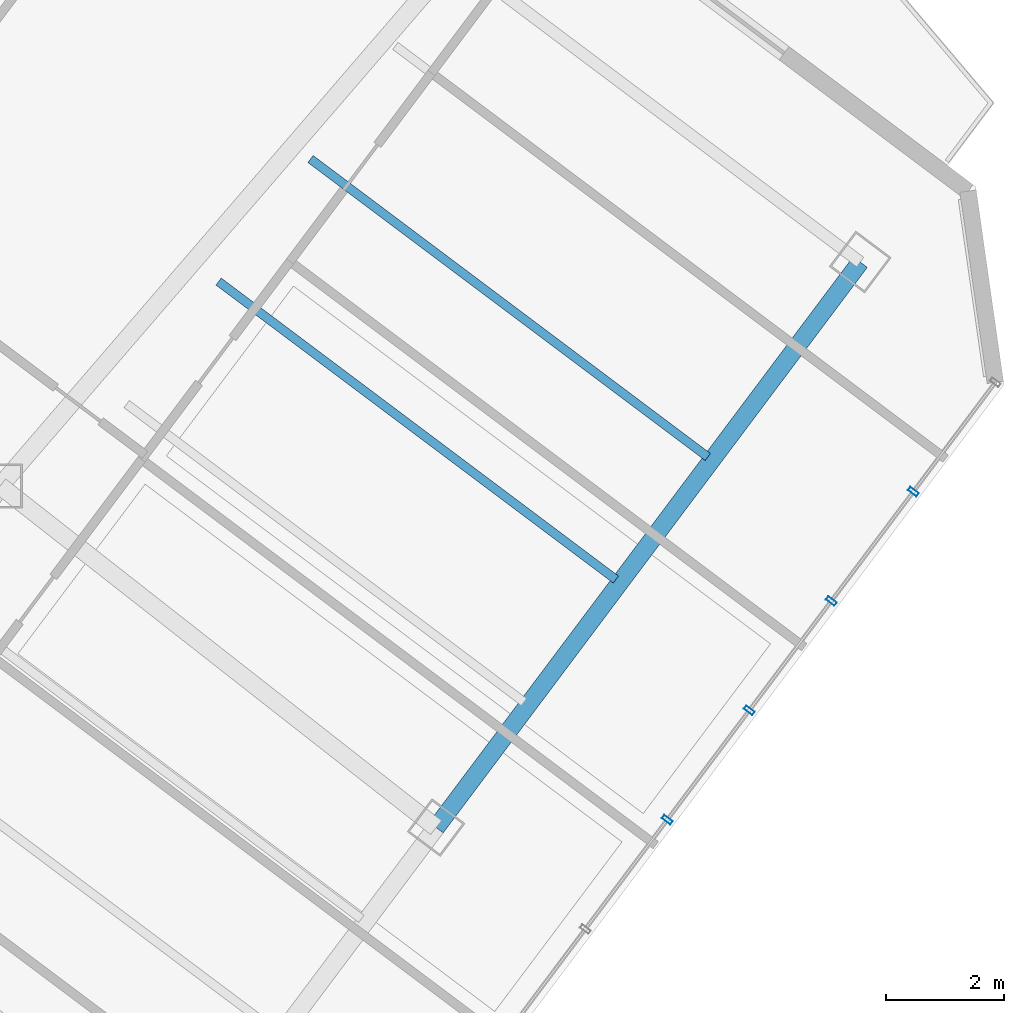
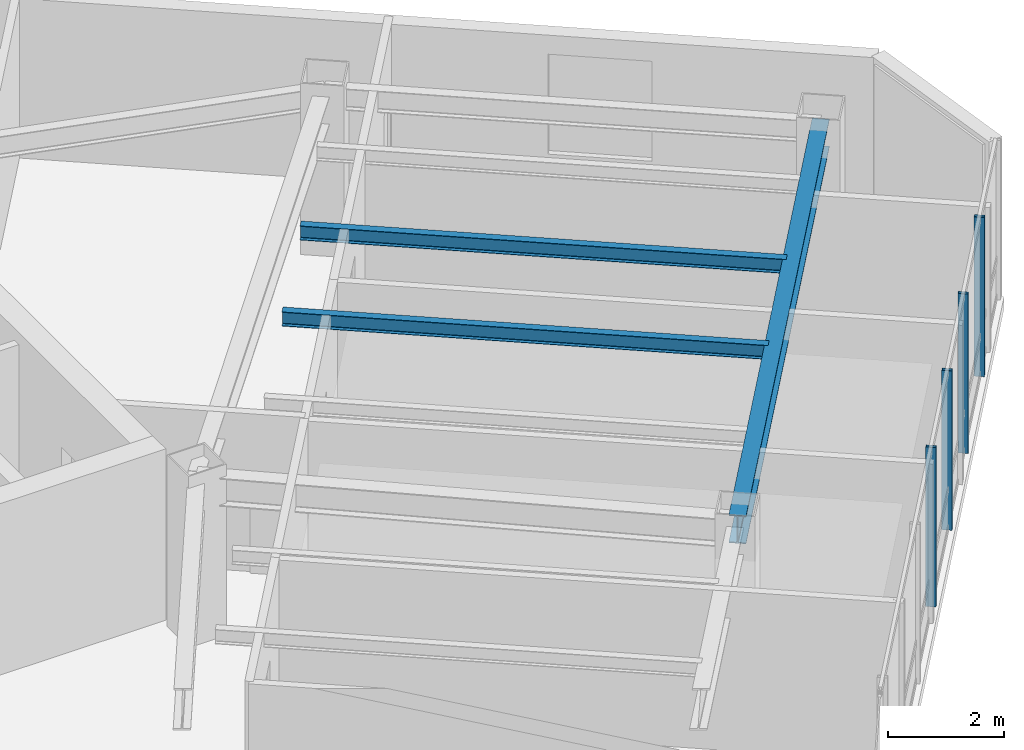
# One storey, part 13 of 26: 4 members, 3 beams, 1 element without a shape of its own.
"""IFC4 building model written with IfcOpenShell, lengths in metres."""

import ifcopenshell
import ifcopenshell.guid

model = None  # the IFC model being written
_history = None  # IfcOwnerHistory: only IFC2X3 demands one
_inside = {}  # id of a spatial element -> (the spatial element, [elements in it])
_under = {}  # id of a project, library or spatial element -> (it, [spatial elements below it])
_declared = {}  # id of a project -> (the project, [libraries it declares])
_typed = {}  # id of a type object -> (the type object, [elements of that type])
_made_of = {}  # id of a material, layer set ... -> (it, [elements and type objects made of it])


def new_model(schema):
    """Start an empty IFC model of exactly this schema.

    Asked for "IFC4X3", IfcOpenShell would pick the latest addendum, in which some entities
    have other attributes; the version numbers below select the first issue.
    IFC2X3 requires an IfcOwnerHistory on every rooted entity: one is made here for all.
    """
    global model, _history
    if schema == "IFC4X3":
        model = ifcopenshell.file(schema_version=(4, 3, 0, 0))
    else:
        model = ifcopenshell.file(schema=schema)
    _inside.clear()
    _under.clear()
    _declared.clear()
    _typed.clear()
    _made_of.clear()
    _history = None
    if model.schema == "IFC2X3":
        org = make("IfcOrganization", Name="unknown")
        user = make(
            "IfcPersonAndOrganization",
            ThePerson=make("IfcPerson", FamilyName="unknown"),
            TheOrganization=org,
        )
        app = make(
            "IfcApplication",
            ApplicationDeveloper=org,
            Version="unknown",
            ApplicationFullName="unknown",
            ApplicationIdentifier="unknown",
        )
        _history = make(
            "IfcOwnerHistory",
            OwningUser=user,
            OwningApplication=app,
            ChangeAction="ADDED",
            CreationDate=0,
        )
    return model


def make(cls, **values):
    """One entity of the class cls with the attributes given. An attribute that is None is left unset."""
    return model.create_entity(
        cls, **{name: value for name, value in values.items() if value is not None}
    )


def rooted(cls, **values):
    """An entity with a GlobalId (a new one), such as an element, a storey or a relation."""
    return make(cls, GlobalId=ifcopenshell.guid.new(), OwnerHistory=_history, **values)


def si_unit(unit_type, name, prefix=None):
    """IfcSIUnit, for example si_unit("LENGTHUNIT", "METRE", prefix="MILLI")."""
    return make("IfcSIUnit", UnitType=unit_type, Prefix=prefix, Name=name)


def assignment(units):
    """IfcUnitAssignment: the units of a project."""
    return None if units is None else make("IfcUnitAssignment", Units=units)


def point(xyz):
    """IfcCartesianPoint."""
    return None if xyz is None else make("IfcCartesianPoint", Coordinates=xyz)


def direction(xyz):
    """IfcDirection."""
    return None if xyz is None else make("IfcDirection", DirectionRatios=xyz)


def frame(location, z_axis=None, x_axis=None):
    """IfcAxis2Placement3D, a coordinate frame: its origin and axes. An axis left out is left unset."""
    return make(
        "IfcAxis2Placement3D",
        Location=point(location),
        Axis=direction(z_axis),
        RefDirection=direction(x_axis),
    )


def frame_2d(location, x_axis=None):
    """IfcAxis2Placement2D, a coordinate frame in the plane: its origin and x axis."""
    return make(
        "IfcAxis2Placement2D", Location=point(location), RefDirection=direction(x_axis)
    )


def origin():
    """The frame at (0, 0, 0) with its axes left unset."""
    return frame((0.0, 0.0, 0.0))


def origin_2d():
    """The frame at (0, 0) in the plane with its x axis left unset."""
    return frame_2d((0.0, 0.0))


def place(relative_to, where):
    """IfcLocalPlacement: puts the frame where relative to a parent placement (None: the world)."""
    return make(
        "IfcLocalPlacement", PlacementRelTo=relative_to, RelativePlacement=where
    )


def context(
    kind, dimensions, precision=None, world=None, true_north=None, identifier=None
):
    """IfcGeometricRepresentationContext, for example the 3D "Model" context."""
    return make(
        "IfcGeometricRepresentationContext",
        ContextIdentifier=identifier,
        ContextType=kind,
        CoordinateSpaceDimension=dimensions,
        Precision=precision,
        WorldCoordinateSystem=world,
        TrueNorth=true_north,
    )


def subcontext(parent, identifier, kind, view, scale=None):
    """IfcGeometricRepresentationSubContext, for example "Body" below "Model"."""
    return make(
        "IfcGeometricRepresentationSubContext",
        ContextIdentifier=identifier,
        ContextType=kind,
        ParentContext=parent,
        TargetScale=scale,
        TargetView=view,
    )


def project(units=None, contexts=None):
    """IfcProject with its units and contexts."""
    return rooted(
        "IfcProject",
        Name="project",
        RepresentationContexts=contexts,
        UnitsInContext=assignment(units),
    )


def spatial(cls, under=None, at=None, **own):
    """A site, building, storey or space (cls), placed at a placement, below another one or the project."""
    s = rooted(cls, ObjectPlacement=at, **own)
    if under is not None:
        _under.setdefault(under.id(), (under, []))[1].append(s)
    return s


def profile(cls, at=None, kind="AREA", **sizes):
    """A parametric profile (cls). Its sizes go by their IFC names, for example OverallWidth=200.0."""
    return make(cls, ProfileType=kind, Position=at, **sizes)


def hollow_rectangle(**sizes):
    """IfcRectangleHollowProfileDef."""
    return profile("IfcRectangleHollowProfileDef", **sizes)


def i_section(**sizes):
    """IfcIShapeProfileDef."""
    return profile("IfcIShapeProfileDef", **sizes)


def extrude(swept, where, along, depth):
    """IfcExtrudedAreaSolid: the profile swept, set in the frame where, extruded along a direction by depth."""
    return make(
        "IfcExtrudedAreaSolid",
        SweptArea=swept,
        Position=where,
        ExtrudedDirection=direction(along),
        Depth=depth,
    )


def shape(context_of_items, identifier, shape_type, items):
    """IfcShapeRepresentation: the items that make up one representation, for example the "Body"."""
    return make(
        "IfcShapeRepresentation",
        ContextOfItems=context_of_items,
        RepresentationIdentifier=identifier,
        RepresentationType=shape_type,
        Items=items,
    )


def material(Name=None, Category=None):
    """IfcMaterial."""
    return make("IfcMaterial", Name=Name, Category=Category)


def layer(
    of_material, thickness, ventilated=None, Name=None, Category=None, Priority=None
):
    """IfcMaterialLayer: one layer of a wall or slab, of a material (None: an air gap)."""
    return make(
        "IfcMaterialLayer",
        Material=of_material,
        LayerThickness=thickness,
        IsVentilated=ventilated,
        Name=Name,
        Category=Category,
        Priority=Priority,
    )


def layer_set(layers, Name=None):
    """IfcMaterialLayerSet."""
    return make("IfcMaterialLayerSet", MaterialLayers=layers, LayerSetName=Name)


def material_profile(
    of_material, cross_section, Name=None, Category=None, Priority=None
):
    """IfcMaterialProfile: a cross section and its material."""
    return make(
        "IfcMaterialProfile",
        Name=Name,
        Material=of_material,
        Profile=cross_section,
        Priority=Priority,
        Category=Category,
    )


def profile_set(profiles, Name=None, composite=None):
    """IfcMaterialProfileSet."""
    return make(
        "IfcMaterialProfileSet",
        Name=Name,
        MaterialProfiles=profiles,
        CompositeProfile=composite,
    )


def made_of(thing, what):
    """Note that an element or type object is made of a material, layer set ...; save() writes the relation."""
    if what is not None:
        _made_of.setdefault(what.id(), (what, []))[1].append(thing)
    return thing


def type_object(cls, material=None, **own):
    """A type object (cls), such as IfcWallType, which elements share."""
    return made_of(rooted(cls, **own), material)


def element(
    cls,
    number,
    at=None,
    inside=None,
    cuts=None,
    type_object=None,
    material=None,
    context=None,
    identifier="Body",
    shape_type=None,
    held_by="IfcProductDefinitionShape",
    body=None,
    shapes=None,
    **own,
):
    """One element of the class cls, such as IfcWall. Its Tag is "e" and its number.

    at: its placement. inside: the storey or other place that contains it. cuts: it is an
    opening in that element (IfcRelVoidsElement). A single representation is given by context,
    identifier, shape_type and body (its items); several are given by shapes. held_by: the class
    of the entity that holds the representations. save() writes the other relations.
    """
    e = rooted(cls, Tag="e%d" % number, ObjectPlacement=at, **own)
    if body is not None:
        shapes = [shape(context, identifier, shape_type, body)]
    if shapes is not None:
        e.Representation = make(held_by, Representations=shapes)
    if inside is not None:
        _inside.setdefault(inside.id(), (inside, []))[1].append(e)
    if cuts is not None:
        rooted(
            "IfcRelVoidsElement", RelatingBuildingElement=cuts, RelatedOpeningElement=e
        )
    if type_object is not None:
        _typed.setdefault(type_object.id(), (type_object, []))[1].append(e)
    return made_of(e, material)


def aggregate(whole, parts):
    """IfcRelAggregates: a whole, such as a stair, and the parts it consists of."""
    return rooted("IfcRelAggregates", RelatingObject=whole, RelatedObjects=parts)


def save(model, path):
    """Write the relations noted so far, then the file.

    IfcRelAggregates (storeys below a building ...), IfcRelContainedInSpatialStructure (elements
    in a storey), IfcRelDefinesByType, IfcRelAssociatesMaterial and IfcRelDeclares: one each for
    every whole, place, type object, material and project.
    """
    for whole, parts in _under.values():
        aggregate(whole, parts)
    for where, things in _inside.values():
        rooted(
            "IfcRelContainedInSpatialStructure",
            RelatedElements=things,
            RelatingStructure=where,
        )
    for kind, things in _typed.values():
        rooted("IfcRelDefinesByType", RelatedObjects=things, RelatingType=kind)
    for what, things in _made_of.values():
        rooted("IfcRelAssociatesMaterial", RelatedObjects=things, RelatingMaterial=what)
    for by, libraries in _declared.values():
        rooted("IfcRelDeclares", RelatingContext=by, RelatedDefinitions=libraries)
    model.write(path)


model = new_model("IFC4")

# Units and contexts
model_context = context("Model", 3, precision=1e-05, world=origin(), true_north=direction((0.0, 1.0)))
body_context = subcontext(model_context, "Body", "Model", "MODEL_VIEW")
ifc_project = project(units=[si_unit("LENGTHUNIT", "METRE"), si_unit("AREAUNIT", "SQUARE_METRE"), si_unit("VOLUMEUNIT", "CUBIC_METRE"), si_unit("PLANEANGLEUNIT", "RADIAN"), si_unit("MASSUNIT", "GRAM", prefix="KILO")], contexts=[model_context])

# Site, building, storey
site_placement = place(None, origin())
site = spatial("IfcSite", under=ifc_project, at=site_placement, CompositionType="ELEMENT")
building_placement = place(site_placement, origin())
building = spatial("IfcBuilding", under=site, at=building_placement, Name="Hatsunagi Terrace Concourse", CompositionType="ELEMENT")
storey_placement = place(building_placement, frame((0.0, 0.0, 209.550048828125)))
storey = spatial("IfcBuildingStorey", under=building, at=storey_placement, Name="L55", CompositionType="ELEMENT", Elevation=209.550048828125)

# Curtain wall, members
ifc_material_1 = material(Name="Anodised Aluminium Alloy 6063-T5", Category="aluminium")
ifc_layer = layer(ifc_material_1, 0.199951171875)
ifc_layer_set = layer_set([ifc_layer], Name="OfficeZone2_CW04")
curtain_wall_type = type_object("IfcCurtainWallType", Name="OfficeZone2_CW04", PredefinedType="NOTDEFINED", material=ifc_layer_set)
curtain_wall_placement = place(storey_placement, origin())
curtain_wall = element("IfcCurtainWall", 1, at=curtain_wall_placement, inside=storey, type_object=curtain_wall_type, Name="Unitised Curtain Wall CW-04 CW-L55-03", PredefinedType="NOTDEFINED")
ifc_material_2 = material(Name="Anodised Aluminium Alloy 6063-T5", Category="aluminium")
ifc_material_profile_1 = material_profile(ifc_material_2, hollow_rectangle(XDim=0.070068359375, YDim=0.179931640625, WallThickness=0.00390625, at=origin_2d()), Name="ALU-MUL-180x70x4")
ifc_profile_set_1 = profile_set([ifc_material_profile_1], Name="Anodised Aluminium Alloy 6063-T5")
member_type = type_object("IfcMemberType", Name="CurtainWallMullion_180x70", PredefinedType="MULLION", material=ifc_profile_set_1)
member_1_placement = place(storey_placement, frame((59.301025390625, 24.10205078125, 0.0), z_axis=(0.0, 0.0, 1.0), x_axis=(-0.599969314634, -0.800023013105, 0.0)))
member_1 = element("IfcMember", 2, at=member_1_placement, type_object=member_type, Name="Curtain Wall Mullion MUL-02", PredefinedType="MULLION", context=body_context, shape_type="SweptSolid", body=[
    extrude(hollow_rectangle(XDim=0.070068359375, YDim=0.179931640625, WallThickness=0.00390625, at=origin_2d()), origin(), (0.0, 0.0, 1.0), 3.349853515625),
])
member_2_placement = place(storey_placement, frame((57.908935546875, 22.2451171875, 0.0), z_axis=(0.0, 0.0, 1.0), x_axis=(-0.599969314634, -0.800023013105, 0.0)))
member_2 = element("IfcMember", 3, at=member_2_placement, type_object=member_type, Name="Curtain Wall Mullion MUL-02", PredefinedType="MULLION", context=body_context, shape_type="SweptSolid", body=[
    extrude(hollow_rectangle(XDim=0.070068359375, YDim=0.179931640625, WallThickness=0.00390625, at=origin_2d()), origin(), (0.0, 0.0, 1.0), 3.349853515625),
])
member_3_placement = place(storey_placement, frame((56.51611328125, 20.388916015625, 0.0), z_axis=(0.0, 0.0, 1.0), x_axis=(-0.599969314634, -0.800023013105, 0.0)))
member_3 = element("IfcMember", 4, at=member_3_placement, type_object=member_type, Name="Curtain Wall Mullion MUL-02", PredefinedType="MULLION", context=body_context, shape_type="SweptSolid", body=[
    extrude(hollow_rectangle(XDim=0.070068359375, YDim=0.179931640625, WallThickness=0.00390625, at=origin_2d()), origin(), (0.0, 0.0, 1.0), 3.349853515625),
])
member_4_placement = place(storey_placement, frame((55.1240234375, 18.531982421875, 0.0), z_axis=(0.0, 0.0, 1.0), x_axis=(-0.599969314634, -0.800023013105, 0.0)))
member_4 = element("IfcMember", 5, at=member_4_placement, type_object=member_type, Name="Curtain Wall Mullion MUL-02", PredefinedType="MULLION", context=body_context, shape_type="SweptSolid", body=[
    extrude(hollow_rectangle(XDim=0.070068359375, YDim=0.179931640625, WallThickness=0.00390625, at=origin_2d()), origin(), (0.0, 0.0, 1.0), 3.349853515625),
])
aggregate(curtain_wall, [member_1, member_2, member_3, member_4])

# Beams
ifc_material_3 = material(Name="Steel SN490B", Category="steel")
ifc_material_profile_2 = material_profile(ifc_material_3, i_section(OverallWidth=0.300048828125, OverallDepth=0.587890625, WebThickness=0.011962890625, FlangeThickness=0.02001953125, FilletRadius=0.01806640625, at=origin_2d()), Name="H-588x300x12x20")
ifc_profile_set_2 = profile_set([ifc_material_profile_2], Name="Steel SN490B")
beam_type_1 = type_object("IfcBeamType", Name="OfficeHighGirder_H_588x300", PredefinedType="BEAM", material=ifc_profile_set_2)
beam_placement = place(storey_placement, frame((51.199951171875, 18.39990234375, 3.055908203125), z_axis=(0.59999348959, 0.800004882766, 0.0), x_axis=(-0.800004882766, 0.59999348959, 0.0)))
element("IfcBeam", 6, at=beam_placement, inside=storey, type_object=beam_type_1, Name="Beam G-06 BM-L55-SET-2B", PredefinedType="BEAM", context=body_context, shape_type="SweptSolid", body=[
    extrude(i_section(OverallWidth=0.300048828125, OverallDepth=0.587890625, WebThickness=0.011962890625, FlangeThickness=0.02001953125, FilletRadius=0.01806640625, at=origin_2d()), origin(), (0.0, 0.0, 1.0), 12.0),
])
ifc_material_4 = material(Name="Steel SN490B", Category="steel")
ifc_material_profile_3 = material_profile(ifc_material_4, i_section(OverallWidth=0.14990234375, OverallDepth=0.300048828125, WebThickness=0.006591796875, FlangeThickness=0.009033203125, FilletRadius=0.010986328125, at=origin_2d()), Name="H-300x150x6.5x9")
ifc_profile_set_3 = profile_set([ifc_material_profile_3], Name="Steel SN490B")
beam_type_2 = type_object("IfcBeamType", Name="OfficeJoist_H_300x150", PredefinedType="JOIST", material=ifc_profile_set_3)
for number, where, z_axis, x_axis, name in (
    (7, (47.508056640625, 27.6689453125, 3.199951171875), (0.800003475366, -0.59999536615, 0.0), (0.59999536615, 0.800003475366, 0.0), "Beam J-03 J-L55-SE-2-168"),
    (8, (49.068115234375, 29.7490234375, 3.199951171875), (0.799989573921, -0.600013901187, 0.0), (0.600013901187, 0.799989573921, 0.0), "Beam J-03 J-L55-SE-2-194"),
):
    element("IfcBeam", number, at=place(storey_placement, frame(where, z_axis=z_axis, x_axis=x_axis)), inside=storey, type_object=beam_type_2, Name=name, PredefinedType="JOIST", context=body_context, shape_type="SweptSolid", body=[
        extrude(i_section(OverallWidth=0.14990234375, OverallDepth=0.300048828125, WebThickness=0.006591796875, FlangeThickness=0.009033203125, FilletRadius=0.010986328125, at=origin_2d()), origin(), (0.0, 0.0, 1.0), 8.429931640625),
    ])

save(model, "model.ifc")
